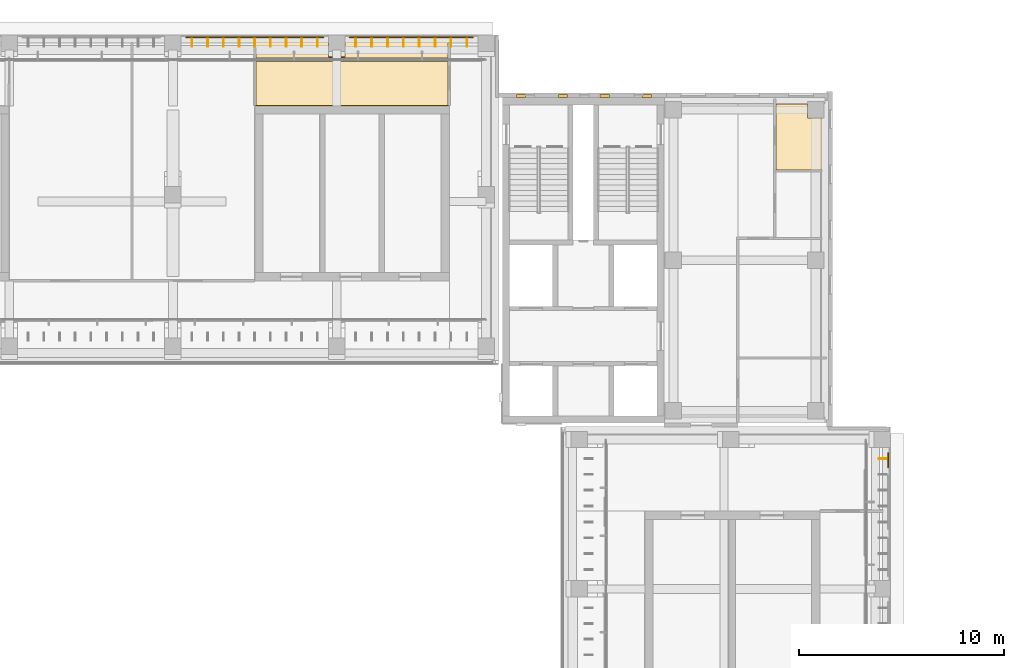
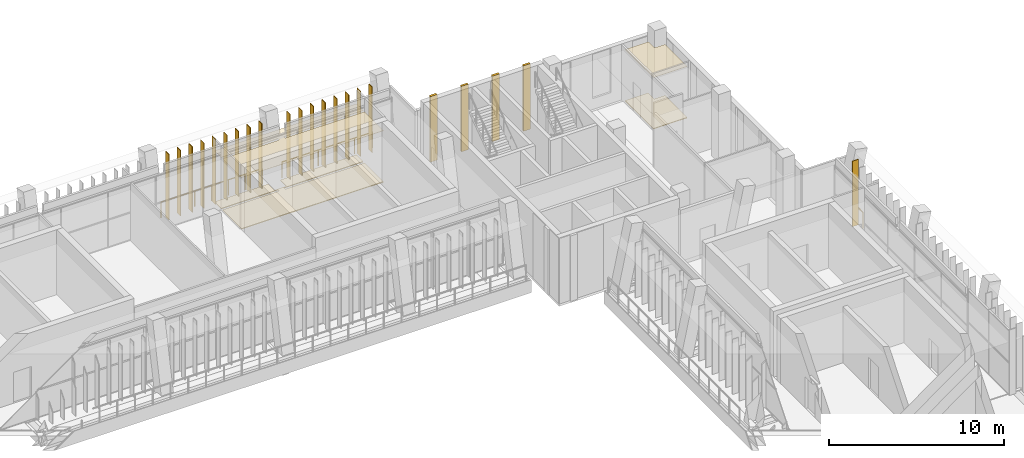
# One storey, part 89 of 89: 18 shading devices, 8 coverings, 3 railings.
"""IFC4 building model written with IfcOpenShell, lengths in metres."""

from ifc_helpers import new_model, si_unit, direction, frame, frame_2d, origin, origin_2d, place, context, subcontext, project, spatial, polyline, rectangle, circle, outline, extrude, material, layer, layer_set, type_object, element, save


model = new_model("IFC4")

# Units and contexts
model_context = context("Model", 3, precision=1e-05, world=origin(), true_north=direction((0.0, 1.0)))
body_context = subcontext(model_context, "Body", "Model", "MODEL_VIEW")
ifc_project = project(units=[si_unit("LENGTHUNIT", "METRE"), si_unit("AREAUNIT", "SQUARE_METRE"), si_unit("VOLUMEUNIT", "CUBIC_METRE"), si_unit("PLANEANGLEUNIT", "RADIAN"), si_unit("MASSUNIT", "GRAM", prefix="KILO")], contexts=[model_context])

# Site, building, storey
site_placement = place(None, origin())
site = spatial("IfcSite", under=ifc_project, at=site_placement, CompositionType="ELEMENT")
building_placement = place(site_placement, origin())
building = spatial("IfcBuilding", under=site, at=building_placement, Name="Lantern Court Media Centre", CompositionType="ELEMENT")
storey_placement = place(building_placement, frame((0.0, 0.0, 14.39990234375)))
storey = spatial("IfcBuildingStorey", under=building, at=storey_placement, Name="L03", CompositionType="ELEMENT", Elevation=14.39990234375)

# Coverings
ifc_material_1 = material(Name="Carpet")
ifc_layer_1 = layer(ifc_material_1, 0.050048828125)
ifc_layer_set_1 = layer_set([ifc_layer_1], Name="Carpet")
covering_type_1 = type_object("IfcCoveringType", Name="Carpet floor finish", PredefinedType="FLOORING", material=ifc_layer_set_1)
covering_1_placement = place(storey_placement, origin())
element("IfcCovering", 1, at=covering_1_placement, inside=storey, type_object=covering_type_1, Name="Production Office 02 floor finish", PredefinedType="FLOORING", context=body_context, shape_type="SweptSolid", body=[
    extrude(outline(polyline([(77.4326171875, 114.699951171875), (77.4326171875, 113.929931640625), (72.195068359375, 113.925048828125), (72.199951171875, 113.77001953125), (77.4326171875, 113.77001953125), (77.4326171875, 111.60498046875), (68.054931640625, 111.60498046875), (68.054931640625, 113.77001953125), (71.804931640625, 113.77490234375), (71.800048828125, 113.929931640625), (68.054931640625, 113.929931640625), (68.054931640625, 114.699951171875), (71.594970703125, 114.699951171875), (71.60009765625, 113.9951171875), (72.403076171875, 113.99609375), (72.405029296875, 114.699951171875), (77.4326171875, 114.699951171875)])), origin(), (0.0, 0.0, 1.0), 0.050048828125),
])
covering_2_placement = place(storey_placement, origin())
element("IfcCovering", 2, at=covering_2_placement, inside=storey, type_object=covering_type_1, Name="WC Male floor finish", PredefinedType="FLOORING", context=body_context, shape_type="SweptSolid", body=[
    extrude(outline(polyline([(95.699951171875, 108.465087890625), (93.467529296875, 108.465087890625), (93.467529296875, 111.699951171875), (94.9951171875, 111.699951171875), (94.99658203125, 110.99658203125), (95.699951171875, 110.9951171875), (95.699951171875, 108.465087890625)])), origin(), (0.0, 0.0, 1.0), 0.050048828125),
])

# Railings
ifc_material_2 = material(Name="Powder-coated steel", Category="steel")
railing_type = type_object("IfcRailingType", Name="Floor edge guard 1100", PredefinedType="GUARDRAIL", material=ifc_material_2)
railing_1_placement = place(storey_placement, frame((64.64794921875, 114.93994140625, 0.0)))
element("IfcRailing", 3, at=railing_1_placement, inside=storey, type_object=railing_type, Name="L03 edge guard 95", PredefinedType="GUARDRAIL", context=body_context, shape_type="SweptSolid", body=[
    extrude(circle(Radius=0.02392578125, at=origin_2d()), frame((0.0, 0.0, 1.076171875), z_axis=(1.0, 0.0, 0.0), x_axis=(0.0, 1.0, 0.0)), (0.0, 0.0, 1.0), 6.697021484375),
    extrude(circle(Radius=0.02099609375, at=origin_2d()), origin(), (0.0, 0.0, 1.0), 1.052001953125),
    extrude(circle(Radius=0.02099609375, at=origin_2d()), frame((1.1162109375, 0.0, 0.0)), (0.0, 0.0, 1.0), 1.052001953125),
    extrude(circle(Radius=0.02099609375, at=origin_2d()), frame((2.232421875, 0.0, 0.0)), (0.0, 0.0, 1.0), 1.052001953125),
    extrude(circle(Radius=0.02099609375, at=origin_2d()), frame((3.3486328125, 0.0, 0.0)), (0.0, 0.0, 1.0), 1.052001953125),
    extrude(circle(Radius=0.02099609375, at=origin_2d()), frame((4.464599609375, 0.0, 0.0)), (0.0, 0.0, 1.0), 1.052001953125),
    extrude(circle(Radius=0.02099609375, at=origin_2d()), frame((5.580810546875, 0.0, 0.0)), (0.0, 0.0, 1.0), 1.052001953125),
    extrude(circle(Radius=0.02099609375, at=origin_2d()), frame((6.697021484375, 0.0, 0.0)), (0.0, 0.0, 1.0), 1.052001953125),
])
railing_2_placement = place(storey_placement, frame((72.64404296875, 114.93994140625, 0.0)))
element("IfcRailing", 4, at=railing_2_placement, inside=storey, type_object=railing_type, Name="L03 edge guard 96", PredefinedType="GUARDRAIL", context=body_context, shape_type="SweptSolid", body=[
    extrude(circle(Radius=0.02392578125, at=origin_2d()), frame((0.0, 0.0, 1.076171875), z_axis=(1.0, 0.0, 0.0), x_axis=(0.0, 1.0, 0.0)), (0.0, 0.0, 1.0), 5.9970703125),
    extrude(circle(Radius=0.02099609375, at=origin_2d()), origin(), (0.0, 0.0, 1.0), 1.052001953125),
    extrude(circle(Radius=0.02099609375, at=origin_2d()), frame((1.199462890625, 0.0, 0.0)), (0.0, 0.0, 1.0), 1.052001953125),
    extrude(circle(Radius=0.02099609375, at=origin_2d()), frame((2.39892578125, 0.0, 0.0)), (0.0, 0.0, 1.0), 1.052001953125),
    extrude(circle(Radius=0.02099609375, at=origin_2d()), frame((3.59814453125, 0.0, 0.0)), (0.0, 0.0, 1.0), 1.052001953125),
    extrude(circle(Radius=0.02099609375, at=origin_2d()), frame((4.797607421875, 0.0, 0.0)), (0.0, 0.0, 1.0), 1.052001953125),
    extrude(circle(Radius=0.02099609375, at=origin_2d()), frame((5.9970703125, 0.0, 0.0)), (0.0, 0.0, 1.0), 1.052001953125),
])
railing_3_placement = place(storey_placement, frame((98.93994140625, 94.64111328125, 0.0)))
element("IfcRailing", 5, at=railing_3_placement, inside=storey, type_object=railing_type, Name="L03 edge guard 98", PredefinedType="GUARDRAIL", context=body_context, shape_type="SweptSolid", body=[
    extrude(circle(Radius=0.02392578125, at=origin_2d()), frame((0.0, 0.0, 1.076171875), z_axis=(0.0, -1.0, 0.0), x_axis=(1.0, 0.0, 0.0)), (0.0, 0.0, 1.0), 0.7001953125),
    extrude(circle(Radius=0.02099609375, at=origin_2d()), origin(), (0.0, 0.0, 1.0), 1.052001953125),
    extrude(circle(Radius=0.02099609375, at=origin_2d()), frame((0.0, -0.7001953125, 0.0)), (0.0, 0.0, 1.0), 1.052001953125),
])

# Coverings
ifc_material_3 = material(Name="Honed limestone cladding", Category="masonry")
ifc_layer_2 = layer(ifc_material_3, 0.14990234375)
ifc_layer_set_2 = layer_set([ifc_layer_2], Name="Honed limestone cladding")
covering_type_2 = type_object("IfcCoveringType", Name="Limestone pilaster cladding 150", PredefinedType="CLADDING", material=ifc_layer_set_2)
covering_3_placement = place(storey_placement, frame((80.77490234375, 112.074951171875, 0.0), z_axis=(0.0, 0.0, 1.0), x_axis=(1.0, 0.0, 0.0)))
element("IfcCovering", 6, at=covering_3_placement, inside=storey, type_object=covering_type_2, Name="Limestone pilaster rib", PredefinedType="CLADDING", context=body_context, shape_type="SweptSolid", body=[
    extrude(rectangle(XDim=0.4501953125, YDim=0.14990234375, at=frame_2d((0.22509765625, 0.0))), origin(), (0.0, 0.0, 1.0), 4.580078125),
])
for number, where, z_axis, x_axis, name in (
    (7, (82.824951171875, 112.074951171875, 0.0), (0.0, 0.0, 1.0), (1.0, 0.0, 0.0), "Limestone pilaster rib"),
    (8, (84.875, 112.074951171875, 0.0), (0.0, 0.0, 1.0), (1.0, 0.0, 0.0), "Limestone pilaster rib"),
    (9, (86.925048828125, 112.074951171875, 0.0), (0.0, 0.0, 1.0), (1.0, 0.0, 0.0), "Limestone pilaster rib"),
):
    element("IfcCovering", number, at=place(storey_placement, frame(where, z_axis=z_axis, x_axis=x_axis)), inside=storey, type_object=covering_type_2, Name=name, PredefinedType="CLADDING", context=body_context, shape_type="SweptSolid", body=[
        extrude(rectangle(XDim=0.449951171875, YDim=0.14990234375, at=frame_2d((0.22509765625, 0.0))), origin(), (0.0, 0.0, 1.0), 4.580078125),
    ])
ifc_material_4 = material(Name="Mineral fibre ceiling tile")
ifc_layer_3 = layer(ifc_material_4, 0.02001953125)
ifc_layer_set_3 = layer_set([ifc_layer_3], Name="Mineral fibre ceiling tile")
covering_type_3 = type_object("IfcCoveringType", Name="Suspended ceiling tile", PredefinedType="CEILING", material=ifc_layer_set_3)
covering_4_placement = place(storey_placement, frame((0.0, 0.0, 3.60009765625)))
element("IfcCovering", 10, at=covering_4_placement, inside=storey, type_object=covering_type_3, Name="Production Office 02 ceiling", PredefinedType="CEILING", context=body_context, shape_type="SweptSolid", body=[
    extrude(outline(polyline([(77.5, 111.6005859375), (68.0, 111.6005859375), (68.050537109375, 111.60498046875), (68.050537109375, 113.77001953125), (68.0, 113.7744140625), (71.800537109375, 113.77490234375), (71.800048828125, 113.925537109375), (68.0, 113.925537109375), (68.050537109375, 113.929931640625), (68.050537109375, 114.699951171875), (77.43701171875, 114.699951171875), (77.43701171875, 113.929931640625), (77.5, 113.925537109375), (72.199951171875, 113.925537109375), (72.199462890625, 113.77490234375), (77.5, 113.7744140625), (77.43701171875, 113.77001953125), (77.43701171875, 111.60498046875), (77.5, 111.6005859375)])), origin(), (0.0, 0.0, 1.0), 0.02001953125),
])
covering_5_placement = place(storey_placement, frame((0.0, 0.0, 3.60009765625)))
element("IfcCovering", 11, at=covering_5_placement, inside=storey, type_object=covering_type_3, Name="WC Male ceiling", PredefinedType="CEILING", context=body_context, shape_type="SweptSolid", body=[
    extrude(outline(polyline([(95.699951171875, 108.46044921875), (93.462890625, 108.46044921875), (93.462890625, 111.699951171875), (94.99951171875, 111.699951171875), (94.999755859375, 110.999755859375), (95.699951171875, 110.99951171875), (95.699951171875, 108.46044921875)])), origin(), (0.0, 0.0, 1.0), 0.02001953125),
])

# Shading devices
ifc_material_5 = material(Name="Bronze anodised aluminium louvre", Category="aluminium")
ifc_layer_4 = layer(ifc_material_5, 0.0400390625)
ifc_layer_set_4 = layer_set([ifc_layer_4], Name="Bronze anodised aluminium louvre")
shading_device_type = type_object("IfcShadingDeviceType", Name="Vertical louvre 40x400 full storey", PredefinedType="USERDEFINED", material=ifc_layer_set_4)
for number, where, z_axis, x_axis, name in (
    (12, (64.933349609375, 114.679931640625, 0.0), (0.0, 0.0, 1.0), (1.0, 0.0, 0.0), "Vertical louvre N outer L03"),
    (13, (65.699951171875, 114.679931640625, 0.0), (0.0, 0.0, 1.0), (1.0, 0.0, 0.0), "Vertical louvre N outer L03"),
    (14, (66.466552734375, 114.679931640625, 0.0), (0.0, 0.0, 1.0), (1.0, 0.0, 0.0), "Vertical louvre N outer L03"),
    (15, (67.2333984375, 114.679931640625, 0.0), (0.0, 0.0, 1.0), (1.0, 0.0, 0.0), "Vertical louvre N outer L03"),
    (16, (68.0, 114.679931640625, 0.0), (0.0, 0.0, 1.0), (1.0, 0.0, 0.0), "Vertical louvre N outer L03"),
    (17, (68.7666015625, 114.679931640625, 0.0), (0.0, 0.0, 1.0), (1.0, 0.0, 0.0), "Vertical louvre N outer L03"),
    (18, (69.533447265625, 114.679931640625, 0.0), (0.0, 0.0, 1.0), (1.0, 0.0, 0.0), "Vertical louvre N outer L03"),
    (19, (70.300048828125, 114.679931640625, 0.0), (0.0, 0.0, 1.0), (1.0, 0.0, 0.0), "Vertical louvre N outer L03"),
    (20, (71.066650390625, 114.679931640625, 0.0), (0.0, 0.0, 1.0), (1.0, 0.0, 0.0), "Vertical louvre N outer L03"),
    (21, (72.9375, 114.679931640625, 0.0), (0.0, 0.0, 1.0), (1.0, 0.0, 0.0), "Vertical louvre N outer L03"),
    (22, (73.71240234375, 114.679931640625, 0.0), (0.0, 0.0, 1.0), (1.0, 0.0, 0.0), "Vertical louvre N outer L03"),
    (23, (74.487548828125, 114.679931640625, 0.0), (0.0, 0.0, 1.0), (1.0, 0.0, 0.0), "Vertical louvre N outer L03"),
    (24, (75.262451171875, 114.679931640625, 0.0), (0.0, 0.0, 1.0), (1.0, 0.0, 0.0), "Vertical louvre N outer L03"),
    (25, (76.03759765625, 114.679931640625, 0.0), (0.0, 0.0, 1.0), (1.0, 0.0, 0.0), "Vertical louvre N outer L03"),
    (26, (76.8125, 114.679931640625, 0.0), (0.0, 0.0, 1.0), (1.0, 0.0, 0.0), "Vertical louvre N outer L03"),
    (27, (77.58740234375, 114.679931640625, 0.0), (0.0, 0.0, 1.0), (1.0, 0.0, 0.0), "Vertical louvre N outer L03"),
    (28, (78.362548828125, 114.679931640625, 0.0), (0.0, 0.0, 1.0), (1.0, 0.0, 0.0), "Vertical louvre N outer L03"),
):
    element("IfcShadingDevice", number, at=place(storey_placement, frame(where, z_axis=z_axis, x_axis=x_axis)), inside=storey, type_object=shading_device_type, Name=name, ObjectType="VERTICAL LOUVRE", PredefinedType="USERDEFINED", context=body_context, shape_type="SweptSolid", body=[
        extrude(rectangle(XDim=0.0400390625, YDim=0.39990234375, at=origin_2d()), origin(), (0.0, 0.0, 1.0), 4.580078125),
    ])
shading_device_placement = place(storey_placement, frame((98.679931640625, 94.362548828125, 0.0), z_axis=(0.0, 0.0, 1.0), x_axis=(1.0, 0.0, 0.0)))
element("IfcShadingDevice", 29, at=shading_device_placement, inside=storey, type_object=shading_device_type, Name="Vertical louvre E outer L03", ObjectType="VERTICAL LOUVRE", PredefinedType="USERDEFINED", context=body_context, shape_type="SweptSolid", body=[
    extrude(rectangle(XDim=0.39990234375, YDim=0.0400390625, at=origin_2d()), origin(), (0.0, 0.0, 1.0), 4.580078125),
])

save(model, "model.ifc")
